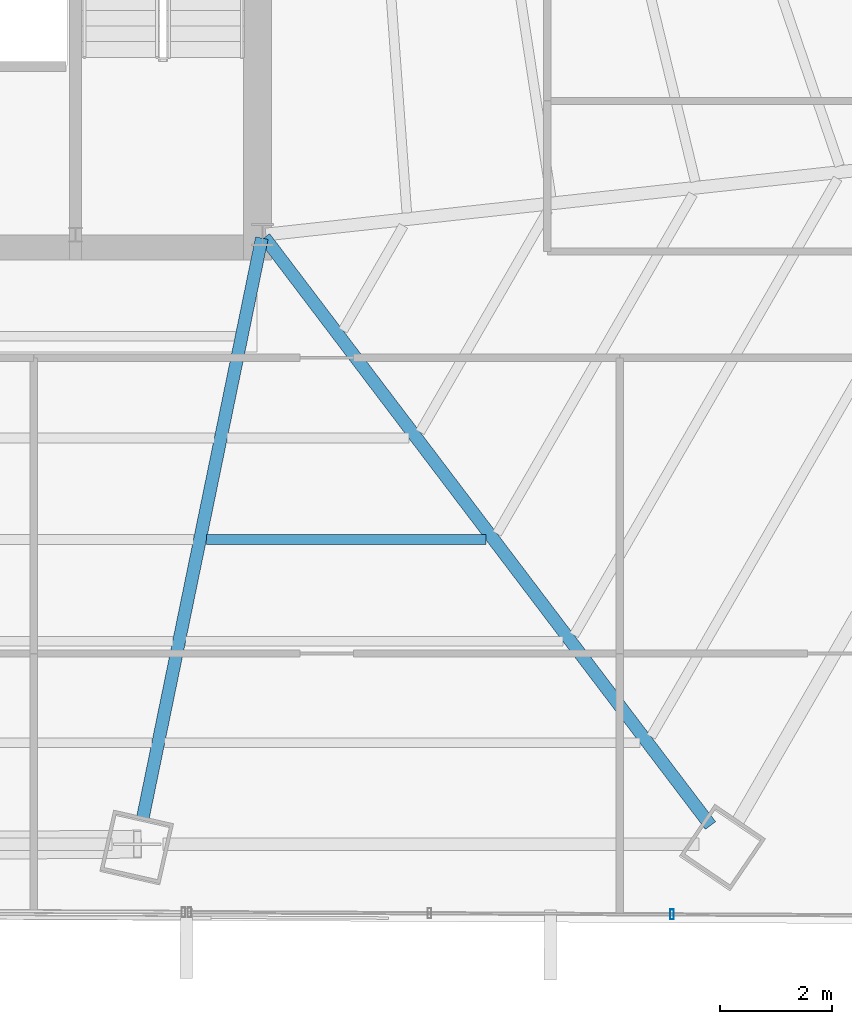
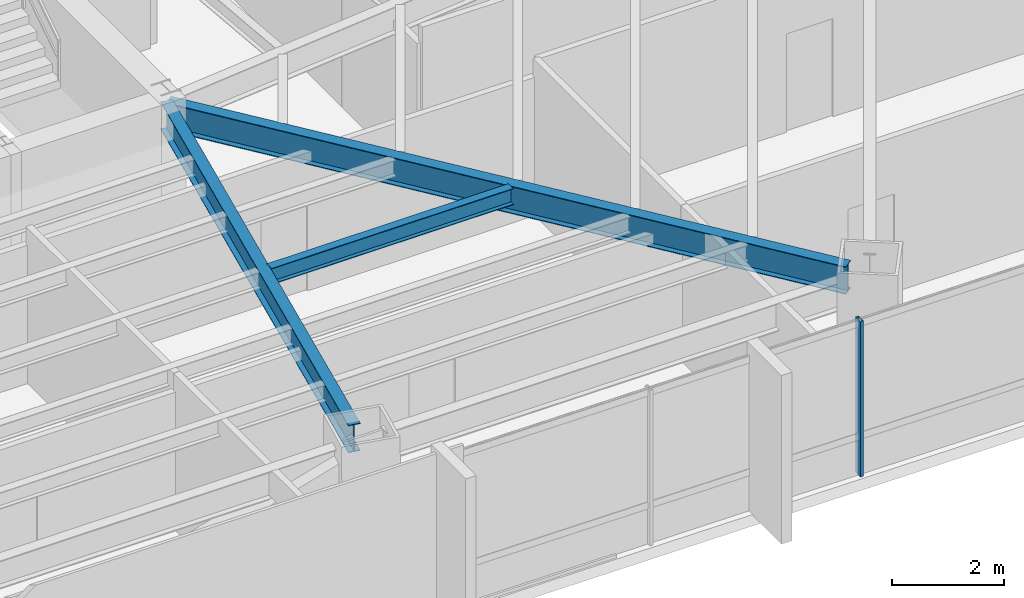
# One storey, part 15 of 35: 3 beams, 1 member, 1 element without a shape of its own.
"""IFC4 building model written with IfcOpenShell, lengths in metres."""

from ifc_helpers import new_model, si_unit, direction, frame, origin, origin_2d, place, context, subcontext, project, spatial, hollow_rectangle, i_section, extrude, source, transform, mapped, material, material_profile, profile_set, type_object, type_shapes, element, aggregate, save


model = new_model("IFC4")

# Units and contexts
model_context = context("Model", 3, precision=1e-05, world=origin(), true_north=direction((0.0, 1.0)))
body_context = subcontext(model_context, "Body", "Model", "MODEL_VIEW")
ifc_project = project(units=[si_unit("LENGTHUNIT", "METRE"), si_unit("AREAUNIT", "SQUARE_METRE"), si_unit("VOLUMEUNIT", "CUBIC_METRE"), si_unit("PLANEANGLEUNIT", "RADIAN"), si_unit("MASSUNIT", "GRAM", prefix="KILO")], contexts=[model_context])

# Site, building, storey
site_placement = place(None, origin())
site = spatial("IfcSite", under=ifc_project, at=site_placement, CompositionType="ELEMENT")
building_placement = place(site_placement, origin())
building = spatial("IfcBuilding", under=site, at=building_placement, Name="Caelisora Broadcast Tower", CompositionType="ELEMENT")
storey_placement = place(building_placement, frame((0.0, 0.0, 109.050048828125)))
storey = spatial("IfcBuildingStorey", under=building, at=storey_placement, Name="L28", CompositionType="ELEMENT", Elevation=109.050048828125)

# Beams
ifc_material_1 = material(Name="Steel Grade 350 (AS/NZS 3679.1)", Category="steel")
ifc_material_profile_1 = material_profile(ifc_material_1, i_section(OverallWidth=0.22802734375, OverallDepth=0.602294921875, WebThickness=0.010498046875, FlangeThickness=0.014892578125, at=origin_2d()), Name="Steel Grade 350 (AS/NZS 3679.1)")
ifc_profile_set_1 = profile_set([ifc_material_profile_1], Name="Steel Grade 350 (AS/NZS 3679.1)")
beam_type_1 = type_object("IfcBeamType", Name="PG04", PredefinedType="BEAM", material=ifc_profile_set_1)
shared_shape_1 = source(origin(), body_context, "Body", "SweptSolid", [
    extrude(i_section(OverallWidth=0.22802734375, OverallDepth=0.602294921875, WebThickness=0.010498046875, FlangeThickness=0.014892578125, at=origin_2d()), origin(), (0.0, 0.0, 1.0), 13.21875),
])
beam_1_placement = place(storey_placement, frame((45.536376953125, 17.352294921875, 3.098876953125), z_axis=(0.60431452542, -0.796745853059, 0.0), x_axis=(0.796745853059, 0.60431452542, 0.0)))
element("IfcBeam", 1, at=beam_1_placement, inside=storey, type_object=beam_type_1, Name="L28 beam PG04", PredefinedType="BEAM", context=body_context, shape_type="MappedRepresentation", body=[
    mapped(shared_shape_1, transform((0.0, 0.0, 0.0), scale=1.0)),
])
shared_shape_2 = source(origin(), body_context, "Body", "SweptSolid", [
    extrude(i_section(OverallWidth=0.22802734375, OverallDepth=0.602294921875, WebThickness=0.010498046875, FlangeThickness=0.014892578125, at=origin_2d()), origin(), (0.0, 0.0, 1.0), 10.662109375),
])
type_shapes(beam_type_1, [shared_shape_1, shared_shape_2])
beam_2_placement = place(storey_placement, frame((45.48779296875, 17.34130859375, 3.098876953125), z_axis=(-0.201067531406, -0.979577382249, 0.0), x_axis=(0.979577382249, -0.201067531406, 0.0)))
element("IfcBeam", 2, at=beam_2_placement, inside=storey, type_object=beam_type_1, Name="L28 beam PG04", PredefinedType="BEAM", context=body_context, shape_type="MappedRepresentation", body=[
    mapped(shared_shape_2, transform((0.0, 0.0, 0.0), scale=1.0)),
])
ifc_material_profile_2 = material_profile(ifc_material_1, i_section(OverallWidth=0.172119140625, OverallDepth=0.358642578125, WebThickness=0.008056640625, FlangeThickness=0.012939453125, at=origin_2d()), Name="Steel Grade 350 (AS/NZS 3679.1)")
ifc_profile_set_2 = profile_set([ifc_material_profile_2], Name="Steel Grade 350 (AS/NZS 3679.1)")
beam_type_2 = type_object("IfcBeamType", Name="SB02", PredefinedType="JOIST", material=ifc_profile_set_2)
shared_shape_3 = source(origin(), body_context, "Body", "SweptSolid", [
    extrude(i_section(OverallWidth=0.172119140625, OverallDepth=0.358642578125, WebThickness=0.008056640625, FlangeThickness=0.012939453125, at=origin_2d()), origin(), (0.0, 0.0, 1.0), 5.006103515625),
])
type_shapes(beam_type_2, [shared_shape_3])
beam_3_placement = place(storey_placement, frame((44.4931640625, 11.94287109375, 3.220703125), z_axis=(1.0, 0.0, 0.0), x_axis=(0.0, 1.0, 0.0)))
element("IfcBeam", 3, at=beam_3_placement, inside=storey, type_object=beam_type_2, Name="L28 beam SB02", PredefinedType="JOIST", context=body_context, shape_type="MappedRepresentation", body=[
    mapped(shared_shape_3, transform((0.0, 0.0, 0.0), scale=1.0)),
])

# Curtain wall, member
ifc_material_2 = material(Name="Unitised Aluminium and Low-E Glass Curtain Wall", Category="glass")
curtain_wall_type = type_object("IfcCurtainWallType", Name="CW-Z2", PredefinedType="NOTDEFINED", material=ifc_material_2)
curtain_wall_placement = place(storey_placement, origin())
curtain_wall = element("IfcCurtainWall", 4, at=curtain_wall_placement, inside=storey, type_object=curtain_wall_type, Name="L28 curtain wall CW-Z2", PredefinedType="NOTDEFINED")
ifc_material_3 = material(Name="Aluminium 6063-T6 Anodised Terracotta Bronze", Category="aluminium")
ifc_material_profile_3 = material_profile(ifc_material_3, hollow_rectangle(XDim=0.06494140625, YDim=0.179931640625, WallThickness=0.00341796875, at=origin_2d()), Name="Aluminium 6063-T6 Anodised Terracotta Bronze")
ifc_profile_set_3 = profile_set([ifc_material_profile_3], Name="Aluminium 6063-T6 Anodised Terracotta Bronze")
member_type = type_object("IfcMemberType", Name="CWM-02", PredefinedType="MULLION", material=ifc_profile_set_3)
shared_shape_4 = source(origin(), body_context, "Body", "SweptSolid", [
    extrude(hollow_rectangle(XDim=0.06494140625, YDim=0.179931640625, WallThickness=0.00341796875, at=origin_2d()), origin(), (0.0, 0.0, 1.0), 3.39990234375),
])
type_shapes(member_type, [shared_shape_4])
member_placement = place(storey_placement, frame((52.8349609375, 5.22802734375, 0.0), z_axis=(0.0, 0.0, 1.0), x_axis=(1.0, 0.0, 0.0)))
member = element("IfcMember", 5, at=member_placement, type_object=member_type, Name="L28-CW-B05 mullion #1", PredefinedType="MULLION", context=body_context, shape_type="MappedRepresentation", body=[
    mapped(shared_shape_4, transform((0.0, 0.0, 0.0), scale=1.0)),
])
aggregate(curtain_wall, [member])

save(model, "model.ifc")
